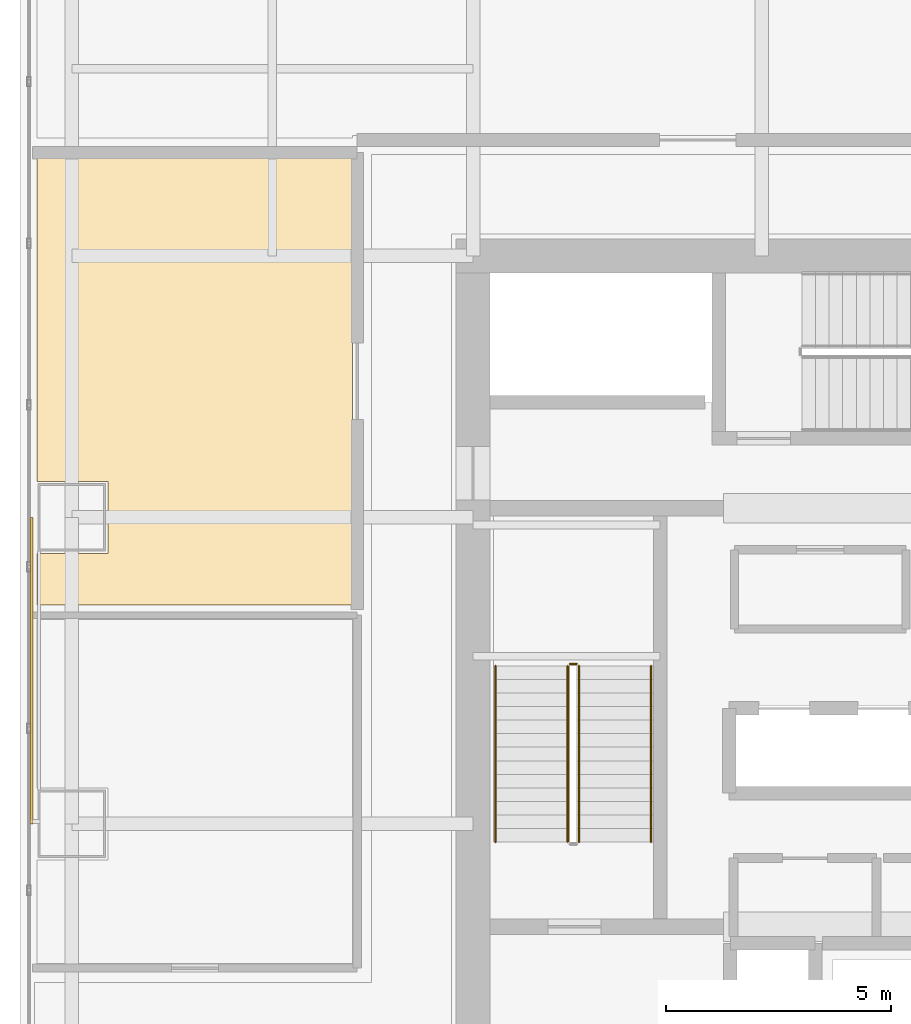
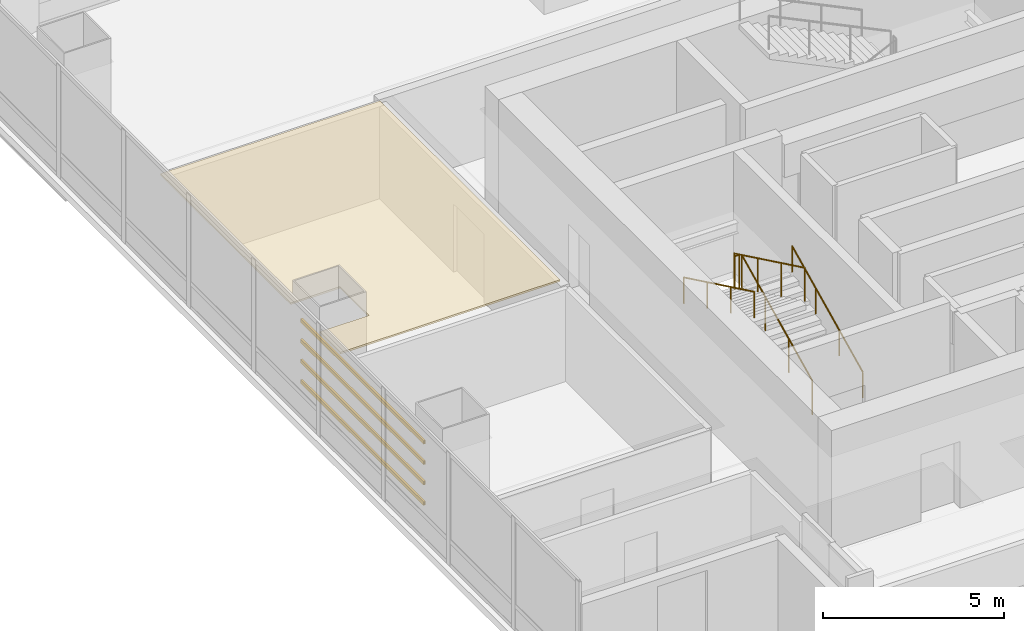
# One storey, part 32 of 35: 5 railings, 4 shading devices, 1 covering.
"""IFC4 building model written with IfcOpenShell, lengths in metres."""

from ifc_helpers import new_model, si_unit, direction, frame, origin, origin_2d, place, context, subcontext, project, spatial, polyline, hollow_rectangle, circle, outline, extrude, material, layer, layer_set, material_profile, profile_set, type_object, element, save


model = new_model("IFC4")

# Units and contexts
model_context = context("Model", 3, precision=1e-05, world=origin(), true_north=direction((0.0, 1.0)))
body_context = subcontext(model_context, "Body", "Model", "MODEL_VIEW")
ifc_project = project(units=[si_unit("LENGTHUNIT", "METRE"), si_unit("AREAUNIT", "SQUARE_METRE"), si_unit("VOLUMEUNIT", "CUBIC_METRE"), si_unit("PLANEANGLEUNIT", "RADIAN"), si_unit("MASSUNIT", "GRAM", prefix="KILO")], contexts=[model_context])

# Site, building, storey
site_placement = place(None, origin())
site = spatial("IfcSite", under=ifc_project, at=site_placement, CompositionType="ELEMENT")
building_placement = place(site_placement, origin())
building = spatial("IfcBuilding", under=site, at=building_placement, Name="Punatoya Terracotta Tower", CompositionType="ELEMENT")
storey_placement = place(building_placement, frame((0.0, 0.0, 113.25)))
storey = spatial("IfcBuildingStorey", under=building, at=storey_placement, Name="L26", CompositionType="ELEMENT", Elevation=113.25)

# Covering
ifc_material_1 = material(Name="Acoustic Mineral Fibre Ceiling")
ifc_layer = layer(ifc_material_1, 0.06005859375)
ifc_layer_set = layer_set([ifc_layer], Name="Acoustic Mineral Fibre Ceiling")
covering_type = type_object("IfcCoveringType", Name="COV-CEIL-60", PredefinedType="CEILING", material=ifc_layer_set)
covering_placement = place(storey_placement, frame((0.0, 0.0, 3.199951171875)))
element("IfcCovering", 1, at=covering_placement, inside=storey, type_object=covering_type, Name="L26 Open-Plan Waterfront Club Lounge Acoustic Ceiling", PredefinedType="CEILING", context=body_context, shape_type="SweptSolid", body=[
    extrude(outline(polyline([(-19.8701171875, 11.389892578125), (-19.8701171875, 4.199951171875), (-18.300048828125, 4.199951171875), (-18.300048828125, 2.60009765625), (-19.8701171875, 2.60009765625), (-19.8701171875, 1.449951171875), (-12.8701171875, 1.449951171875), (-12.8701171875, 11.389892578125), (-19.8701171875, 11.389892578125)])), origin(), (0.0, 0.0, 1.0), 0.06005859375),
])

# Railings
ifc_material_2 = material(Name="Steel S355", Category="steel")
railing_type_1 = type_object("IfcRailingType", Name="RLG-GRD-1150", PredefinedType="GUARDRAIL", material=ifc_material_2)
railing_1_placement = place(storey_placement, frame((-7.85009765625, -3.800048828125, 0.14453125)))
element("IfcRailing", 2, at=railing_1_placement, inside=storey, type_object=railing_type_1, Name="L26 ST-1 stair guard 1", PredefinedType="GUARDRAIL", context=body_context, shape_type="SweptSolid", body=[
    extrude(circle(Radius=0.02392578125, at=origin_2d()), frame((0.0, 0.0, 1.1259765625), z_axis=(0.0, 0.900773802044, 0.434288564841), x_axis=(-1.0, 0.0, 0.0)), (0.0, 0.0, 1.0), 4.329833984375),
    extrude(circle(Radius=0.02099609375, at=origin_2d()), origin(), (0.0, 0.0, 1.0), 1.101806640625),
    extrude(circle(Radius=0.02099609375, at=origin_2d()), frame((0.0, 1.300048828125, 0.626708984375)), (0.0, 0.0, 1.0), 1.101806640625),
    extrude(circle(Radius=0.02099609375, at=origin_2d()), frame((0.0, 2.60009765625, 1.253662109375)), (0.0, 0.0, 1.0), 1.101806640625),
    extrude(circle(Radius=0.02099609375, at=origin_2d()), frame((0.0, 3.900146484375, 1.88037109375)), (0.0, 0.0, 1.0), 1.101806640625),
])
railing_2_placement = place(storey_placement, frame((-7.89990234375, 0.14990234375, 2.02490234375)))
element("IfcRailing", 3, at=railing_2_placement, inside=storey, type_object=railing_type_1, Name="L26 ST-1 stair guard 2", PredefinedType="GUARDRAIL", context=body_context, shape_type="SweptSolid", body=[
    extrude(circle(Radius=0.02392578125, at=origin_2d()), frame((0.0, 0.0, 1.1259765625), z_axis=(-1.0, 0.0, 0.0), x_axis=(0.0, -1.0, 0.0)), (0.0, 0.0, 1.0), 0.150146484375),
    extrude(circle(Radius=0.02099609375, at=origin_2d()), origin(), (0.0, 0.0, 1.0), 1.101806640625),
    extrude(circle(Radius=0.02099609375, at=origin_2d()), frame((-0.150146484375, 0.0, 0.0)), (0.0, 0.0, 1.0), 1.101806640625),
])
railing_3_placement = place(storey_placement, frame((-8.10009765625, 0.10009765625, 2.169677734375)))
element("IfcRailing", 4, at=railing_3_placement, inside=storey, type_object=railing_type_1, Name="L26 ST-1 stair guard 3", PredefinedType="GUARDRAIL", context=body_context, shape_type="SweptSolid", body=[
    extrude(circle(Radius=0.02392578125, at=origin_2d()), frame((0.0, 0.0, 1.1259765625), z_axis=(0.0, -0.900773802044, 0.434288564841), x_axis=(1.0, 0.0, 0.0)), (0.0, 0.0, 1.0), 4.329833984375),
    extrude(circle(Radius=0.02099609375, at=origin_2d()), origin(), (0.0, 0.0, 1.0), 1.101806640625),
    extrude(circle(Radius=0.02099609375, at=origin_2d()), frame((0.0, -1.300048828125, 0.626708984375)), (0.0, 0.0, 1.0), 1.101806640625),
    extrude(circle(Radius=0.02099609375, at=origin_2d()), frame((0.0, -2.60009765625, 1.253662109375)), (0.0, 0.0, 1.0), 1.101806640625),
    extrude(circle(Radius=0.02099609375, at=origin_2d()), frame((0.0, -3.900146484375, 1.88037109375)), (0.0, 0.0, 1.0), 1.101806640625),
])
railing_type_2 = type_object("IfcRailingType", Name="RLG-HND-900", PredefinedType="HANDRAIL", material=ifc_material_2)
railing_4_placement = place(storey_placement, frame((-6.25, -3.800048828125, 0.14453125)))
element("IfcRailing", 5, at=railing_4_placement, inside=storey, type_object=railing_type_2, Name="L26 ST-1 stair handrail 1", PredefinedType="HANDRAIL", context=body_context, shape_type="SweptSolid", body=[
    extrude(circle(Radius=0.02392578125, at=origin_2d()), frame((0.0, 0.0, 0.8759765625), z_axis=(0.0, 0.900773802044, 0.434288564841), x_axis=(-1.0, 0.0, 0.0)), (0.0, 0.0, 1.0), 4.329833984375),
    extrude(circle(Radius=0.02099609375, at=origin_2d()), origin(), (0.0, 0.0, 1.0), 0.851806640625),
    extrude(circle(Radius=0.02099609375, at=origin_2d()), frame((0.0, 1.300048828125, 0.626708984375)), (0.0, 0.0, 1.0), 0.851806640625),
    extrude(circle(Radius=0.02099609375, at=origin_2d()), frame((0.0, 2.60009765625, 1.253662109375)), (0.0, 0.0, 1.0), 0.851806640625),
    extrude(circle(Radius=0.02099609375, at=origin_2d()), frame((0.0, 3.900146484375, 1.88037109375)), (0.0, 0.0, 1.0), 0.851806640625),
])
railing_5_placement = place(storey_placement, frame((-9.699951171875, 0.10009765625, 2.169677734375)))
element("IfcRailing", 6, at=railing_5_placement, inside=storey, type_object=railing_type_2, Name="L26 ST-1 stair handrail 2", PredefinedType="HANDRAIL", context=body_context, shape_type="SweptSolid", body=[
    extrude(circle(Radius=0.02392578125, at=origin_2d()), frame((0.0, 0.0, 0.8759765625), z_axis=(0.0, -0.900773802044, 0.434288564841), x_axis=(1.0, 0.0, 0.0)), (0.0, 0.0, 1.0), 4.329833984375),
    extrude(circle(Radius=0.02099609375, at=origin_2d()), origin(), (0.0, 0.0, 1.0), 0.851806640625),
    extrude(circle(Radius=0.02099609375, at=origin_2d()), frame((0.0, -1.300048828125, 0.626708984375)), (0.0, 0.0, 1.0), 0.851806640625),
    extrude(circle(Radius=0.02099609375, at=origin_2d()), frame((0.0, -2.60009765625, 1.253662109375)), (0.0, 0.0, 1.0), 0.851806640625),
    extrude(circle(Radius=0.02099609375, at=origin_2d()), frame((0.0, -3.900146484375, 1.88037109375)), (0.0, 0.0, 1.0), 0.851806640625),
])

# Shading devices
ifc_material_3 = material(Name="Architectural Fired Terracotta", Category="masonry")
ifc_material_profile = material_profile(ifc_material_3, hollow_rectangle(XDim=0.06494140625, YDim=0.1201171875, WallThickness=0.014892578125, at=origin_2d()))
ifc_profile_set = profile_set([ifc_material_profile], Name="Architectural Fired Terracotta")
shading_device_type = type_object("IfcShadingDeviceType", Name="SHD-BAG-120", PredefinedType="USERDEFINED", material=ifc_profile_set)
for number, where, z_axis, x_axis, name in (
    (7, (-19.989990234375, -3.39990234375, 1.14990234375), (0.0, 1.0, 0.0), (-1.0, 0.0, 0.0), "L26 Fired Terracotta Baguette Louvre BAG-L26-W-01"),
    (8, (-19.989990234375, -3.39990234375, 1.836669921875), (0.0, 1.0, 0.0), (-1.0, 0.0, 0.0), "L26 Fired Terracotta Baguette Louvre BAG-L26-W-02"),
    (9, (-19.989990234375, -3.39990234375, 2.523193359375), (0.0, 1.0, 0.0), (-1.0, 0.0, 0.0), "L26 Fired Terracotta Baguette Louvre BAG-L26-W-03"),
    (10, (-19.989990234375, -3.39990234375, 3.2099609375), (0.0, 1.0, 0.0), (-1.0, 0.0, 0.0), "L26 Fired Terracotta Baguette Louvre BAG-L26-W-04"),
):
    element("IfcShadingDevice", number, at=place(storey_placement, frame(where, z_axis=z_axis, x_axis=x_axis)), inside=storey, type_object=shading_device_type, Name=name, ObjectType="BAGUETTE", PredefinedType="USERDEFINED", context=body_context, shape_type="SweptSolid", body=[
        extrude(hollow_rectangle(XDim=0.06494140625, YDim=0.1201171875, WallThickness=0.014892578125, at=origin_2d()), origin(), (0.0, 0.0, 1.0), 6.7998046875),
    ])

save(model, "model.ifc")
